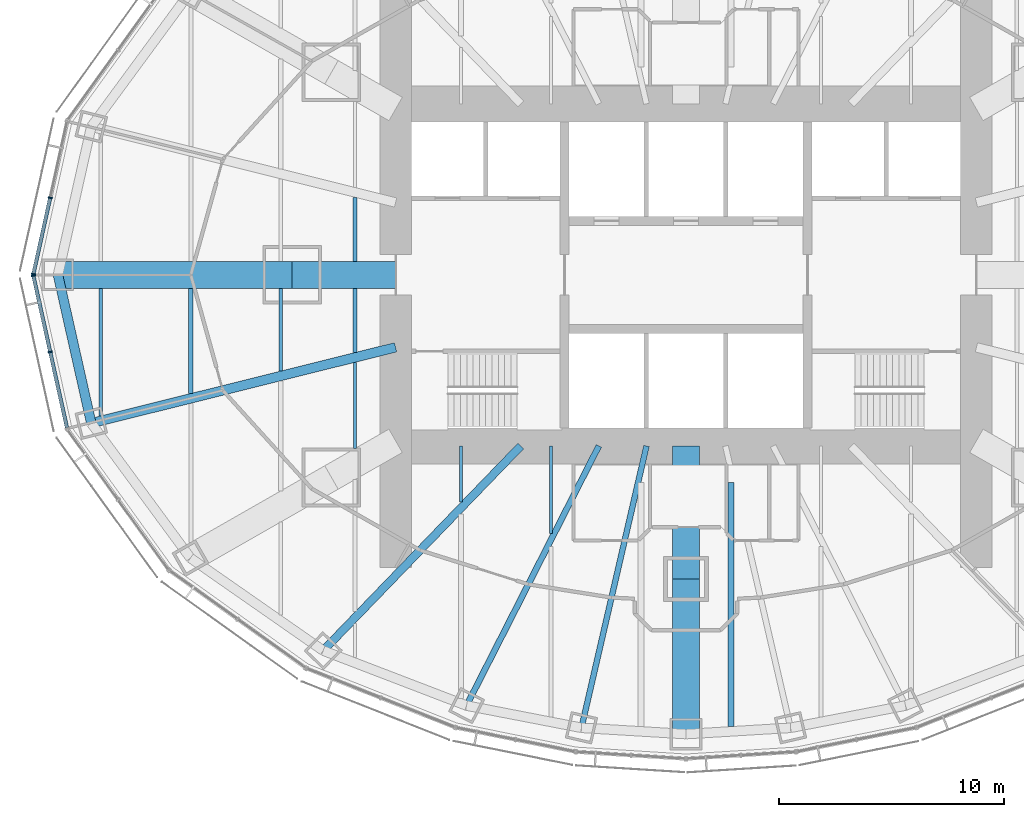
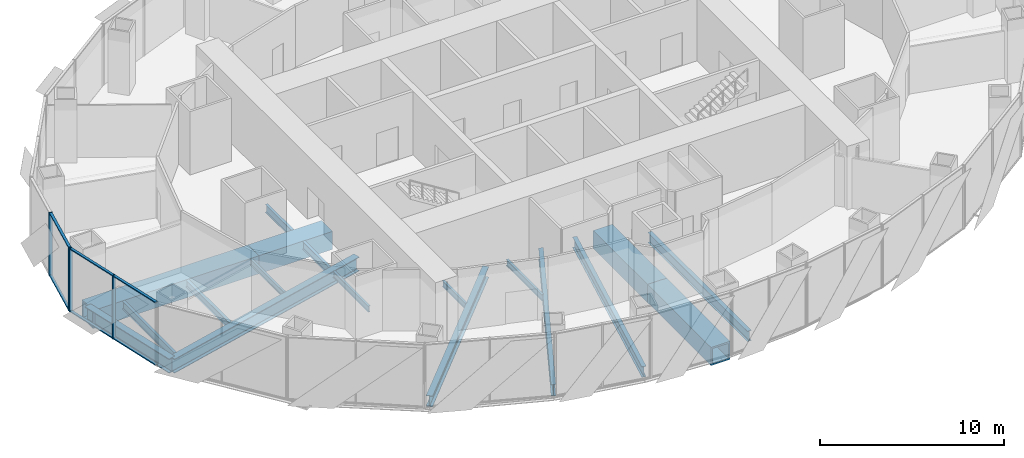
# One storey, part 3 of 17: 18 beams, 10 members, 2 elements without a shape of their own.
"""IFC4 building model written with IfcOpenShell, lengths in metres."""

from ifc_helpers import new_model, si_unit, direction, frame, origin, origin_2d, place, context, subcontext, project, spatial, rectangle, hollow_rectangle, i_section, extrude, material, material_profile, profile_set, type_object, element, aggregate, save


model = new_model("IFC4")

# Units and contexts
model_context = context("Model", 3, precision=1e-05, world=origin(), true_north=direction((0.0, 1.0)))
body_context = subcontext(model_context, "Body", "Model", "MODEL_VIEW")
ifc_project = project(units=[si_unit("LENGTHUNIT", "METRE"), si_unit("AREAUNIT", "SQUARE_METRE"), si_unit("VOLUMEUNIT", "CUBIC_METRE"), si_unit("PLANEANGLEUNIT", "RADIAN"), si_unit("MASSUNIT", "GRAM", prefix="KILO")], contexts=[model_context])

# Site, building, storey
site_placement = place(None, origin())
site = spatial("IfcSite", under=ifc_project, at=site_placement, CompositionType="ELEMENT")
building_placement = place(site_placement, origin())
building = spatial("IfcBuilding", under=site, at=building_placement, Name="Lantaw Convention Tower", CompositionType="ELEMENT")
storey_placement = place(building_placement, frame((0.0, 0.0, 117.39990234375)))
storey = spatial("IfcBuildingStorey", under=building, at=storey_placement, Name="L27", CompositionType="ELEMENT", Elevation=117.39990234375)

# Beams
ifc_material_1 = material(Name="Steel ASTM A992", Category="steel")
ifc_material_profile_1 = material_profile(ifc_material_1, i_section(OverallWidth=0.424072265625, OverallDepth=0.947509765625, WebThickness=0.02392578125, FlangeThickness=0.042724609375, FilletRadius=0.012451171875, at=origin_2d()), Name="W36X302")
ifc_profile_set_1 = profile_set([ifc_material_profile_1], Name="Steel ASTM A992")
beam_type_1 = type_object("IfcBeamType", Name="Beam BC W36X302", PredefinedType="SPANDREL", material=ifc_profile_set_1)
beam_1_placement = place(storey_placement, frame((-27.89990234375, 0.0, -0.62353515625), z_axis=(0.219211877447, -0.975677279015, 0.0), x_axis=(0.975677279015, 0.219211877447, 0.0)))
element("IfcBeam", 1, at=beam_1_placement, inside=storey, type_object=beam_type_1, Name="Belt truss chord 13", PredefinedType="SPANDREL", context=body_context, shape_type="SweptSolid", body=[
    extrude(i_section(OverallWidth=0.424072265625, OverallDepth=0.947509765625, WebThickness=0.02392578125, FlangeThickness=0.042724609375, FilletRadius=0.012451171875, at=origin_2d()), origin(), (0.0, 0.0, 1.0), 6.75146484375),
])
ifc_material_2 = material(Name="Steel EN 10025-3 S460N", Category="steel")
ifc_material_profile_2 = material_profile(ifc_material_2, hollow_rectangle(XDim=1.199951171875, YDim=1.199951171875, WallThickness=0.10009765625, at=origin_2d()), Name="BOX1200X100")
ifc_profile_set_2 = profile_set([ifc_material_profile_2], Name="Steel EN 10025-3 S460N")
beam_type_2 = type_object("IfcBeamType", Name="Beam G BOX1200X100", PredefinedType="BEAM", material=ifc_profile_set_2)
beam_2_placement = place(storey_placement, frame((-17.5, 0.0, -0.75), z_axis=(-1.0, 0.0, 0.0), x_axis=(0.0, -1.0, 0.0)))
element("IfcBeam", 2, at=beam_2_placement, inside=storey, type_object=beam_type_2, Name="Floor girder on ray 13", PredefinedType="BEAM", context=body_context, shape_type="SweptSolid", body=[
    extrude(hollow_rectangle(XDim=1.199951171875, YDim=1.199951171875, WallThickness=0.10009765625, at=origin_2d()), origin(), (0.0, 0.0, 1.0), 10.39990234375),
])
beam_3_placement = place(storey_placement, frame((0.0, -13.5, -0.75), z_axis=(0.0, -1.0, 0.0), x_axis=(1.0, 0.0, 0.0)))
element("IfcBeam", 3, at=beam_3_placement, inside=storey, type_object=beam_type_2, Name="Floor girder on ray 19", PredefinedType="BEAM", context=body_context, shape_type="SweptSolid", body=[
    extrude(hollow_rectangle(XDim=1.199951171875, YDim=1.199951171875, WallThickness=0.10009765625, at=origin_2d()), origin(), (0.0, 0.0, 1.0), 6.89990234375),
])
ifc_material_profile_3 = material_profile(ifc_material_1, i_section(OverallWidth=0.25390625, OverallDepth=0.700927734375, WebThickness=0.015380859375, FlangeThickness=0.02783203125, FilletRadius=0.01513671875, at=origin_2d()), Name="W27X129")
ifc_profile_set_3 = profile_set([ifc_material_profile_3], Name="Steel ASTM A992")
beam_type_3 = type_object("IfcBeamType", Name="Beam G W27X129", PredefinedType="BEAM", material=ifc_profile_set_3)
beam_4_placement = place(storey_placement, frame((-1.754638671875, -7.60009765625, -0.50048828125), z_axis=(-0.224944153104, -0.974371658036, 0.0), x_axis=(0.974371658036, -0.224944153104, 0.0)))
element("IfcBeam", 4, at=beam_4_placement, inside=storey, type_object=beam_type_3, Name="Floor girder on ray 18", PredefinedType="BEAM", context=body_context, shape_type="SweptSolid", body=[
    extrude(i_section(OverallWidth=0.25390625, OverallDepth=0.700927734375, WebThickness=0.015380859375, FlangeThickness=0.02783203125, FilletRadius=0.01513671875, at=origin_2d()), origin(), (0.0, 0.0, 1.0), 12.849365234375),
])
ifc_material_profile_4 = material_profile(ifc_material_1, i_section(OverallWidth=0.360595703125, OverallDepth=0.72900390625, WebThickness=0.023193359375, FlangeThickness=0.041015625, FilletRadius=0.0126953125, at=origin_2d()), Name="W27X235")
ifc_profile_set_4 = profile_set([ifc_material_profile_4], Name="Steel ASTM A992")
beam_type_4 = type_object("IfcBeamType", Name="Beam G W27X235", PredefinedType="BEAM", material=ifc_profile_set_4)
beam_5_placement = place(storey_placement, frame((-7.33935546875, -7.60009765625, -0.514404296875), z_axis=(-0.694663467407, -0.719334878239, 0.0), x_axis=(0.719334878239, -0.694663467407, 0.0)))
element("IfcBeam", 5, at=beam_5_placement, inside=storey, type_object=beam_type_4, Name="Floor girder on ray 16", PredefinedType="BEAM", context=body_context, shape_type="SweptSolid", body=[
    extrude(i_section(OverallWidth=0.360595703125, OverallDepth=0.72900390625, WebThickness=0.023193359375, FlangeThickness=0.041015625, FilletRadius=0.0126953125, at=origin_2d()), origin(), (0.0, 0.0, 1.0), 12.63671875),
])
ifc_material_profile_5 = material_profile(ifc_material_1, i_section(OverallWidth=0.2666015625, OverallDepth=0.76953125, WebThickness=0.015625, FlangeThickness=0.025390625, FilletRadius=0.0126953125, at=origin_2d()), Name="W30X132")
ifc_profile_set_5 = profile_set([ifc_material_profile_5], Name="Steel ASTM A992")
beam_type_5 = type_object("IfcBeamType", Name="Beam G W30X132", PredefinedType="BEAM", material=ifc_profile_set_5)
beam_6_placement = place(storey_placement, frame((-3.872314453125, -7.60009765625, -0.53466796875), z_axis=(-0.453991051051, -0.891006243281, 0.0), x_axis=(0.891006243281, -0.453991051051, 0.0)))
element("IfcBeam", 6, at=beam_6_placement, inside=storey, type_object=beam_type_5, Name="Floor girder on ray 17", PredefinedType="BEAM", context=body_context, shape_type="SweptSolid", body=[
    extrude(i_section(OverallWidth=0.2666015625, OverallDepth=0.76953125, WebThickness=0.015625, FlangeThickness=0.025390625, FilletRadius=0.0126953125, at=origin_2d()), origin(), (0.0, 0.0, 1.0), 12.943359375),
])
ifc_material_profile_6 = material_profile(ifc_material_1, i_section(OverallWidth=0.421630859375, OverallDepth=0.937255859375, WebThickness=0.0224609375, FlangeThickness=0.039794921875, FilletRadius=0.02001953125, at=origin_2d()), Name="W36X282")
ifc_profile_set_6 = profile_set([ifc_material_profile_6], Name="Steel ASTM A992")
beam_type_6 = type_object("IfcBeamType", Name="Beam G W36X282", PredefinedType="BEAM", material=ifc_profile_set_6)
beam_7_placement = place(storey_placement, frame((-12.89990234375, -3.21630859375, -0.61865234375), z_axis=(-0.970296903132, -0.24191717544, 0.0), x_axis=(0.24191717544, -0.970296903132, 0.0)))
element("IfcBeam", 7, at=beam_7_placement, inside=storey, type_object=beam_type_6, Name="Floor girder on ray 14", PredefinedType="BEAM", context=body_context, shape_type="SweptSolid", body=[
    extrude(i_section(OverallWidth=0.421630859375, OverallDepth=0.937255859375, WebThickness=0.0224609375, FlangeThickness=0.039794921875, FilletRadius=0.02001953125, at=origin_2d()), origin(), (0.0, 0.0, 1.0), 13.933837890625),
])
ifc_material_profile_7 = material_profile(ifc_material_1, i_section(OverallWidth=0.140380859375, OverallDepth=0.40380859375, WebThickness=0.007080078125, FlangeThickness=0.01123046875, FilletRadius=0.01025390625, at=origin_2d()), Name="W16X31")
ifc_profile_set_7 = profile_set([ifc_material_profile_7], Name="Steel ASTM A992")
beam_type_7 = type_object("IfcBeamType", Name="Beam J W16X31", PredefinedType="JOIST", material=ifc_profile_set_7)
beam_8_placement = place(storey_placement, frame((-18.0, -4.270751953125, -0.351806640625), z_axis=(0.0, 1.0, 0.0), x_axis=(-1.0, 0.0, 0.0)))
element("IfcBeam", 8, at=beam_8_placement, inside=storey, type_object=beam_type_7, Name="Floor joist", PredefinedType="JOIST", context=body_context, shape_type="SweptSolid", body=[
    extrude(i_section(OverallWidth=0.140380859375, OverallDepth=0.40380859375, WebThickness=0.007080078125, FlangeThickness=0.01123046875, FilletRadius=0.01025390625, at=origin_2d()), origin(), (0.0, 0.0, 1.0), 3.670654296875),
])
beam_9_placement = place(storey_placement, frame((-14.699951171875, -7.708984375, -0.351806640625), z_axis=(0.0, 1.0, 0.0), x_axis=(-1.0, 0.0, 0.0)))
element("IfcBeam", 9, at=beam_9_placement, inside=storey, type_object=beam_type_7, Name="Floor joist", PredefinedType="JOIST", context=body_context, shape_type="SweptSolid", body=[
    extrude(i_section(OverallWidth=0.140380859375, OverallDepth=0.40380859375, WebThickness=0.007080078125, FlangeThickness=0.01123046875, FilletRadius=0.01025390625, at=origin_2d()), origin(), (0.0, 0.0, 1.0), 3.82666015625),
])
beam_10_placement = place(storey_placement, frame((-10.0, -10.095703125, -0.351806640625), z_axis=(0.0, 1.0, 0.0), x_axis=(-1.0, 0.0, 0.0)))
element("IfcBeam", 10, at=beam_10_placement, inside=storey, type_object=beam_type_7, Name="Floor joist", PredefinedType="JOIST", context=body_context, shape_type="SweptSolid", body=[
    extrude(i_section(OverallWidth=0.140380859375, OverallDepth=0.40380859375, WebThickness=0.007080078125, FlangeThickness=0.01123046875, FilletRadius=0.01025390625, at=origin_2d()), origin(), (0.0, 0.0, 1.0), 2.49560546875),
])
beam_11_placement = place(storey_placement, frame((-6.0, -11.48193359375, -0.351806640625), z_axis=(0.0, 1.0, 0.0), x_axis=(-1.0, 0.0, 0.0)))
element("IfcBeam", 11, at=beam_11_placement, inside=storey, type_object=beam_type_7, Name="Floor joist", PredefinedType="JOIST", context=body_context, shape_type="SweptSolid", body=[
    extrude(i_section(OverallWidth=0.140380859375, OverallDepth=0.40380859375, WebThickness=0.007080078125, FlangeThickness=0.01123046875, FilletRadius=0.01025390625, at=origin_2d()), origin(), (0.0, 0.0, 1.0), 3.8818359375),
])
ifc_material_profile_8 = material_profile(ifc_material_1, i_section(OverallWidth=0.1904296875, OverallDepth=0.457275390625, WebThickness=0.009033203125, FlangeThickness=0.014404296875, FilletRadius=0.01025390625, at=origin_2d()), Name="W18X50")
ifc_profile_set_8 = profile_set([ifc_material_profile_8], Name="Steel ASTM A992")
beam_type_8 = type_object("IfcBeamType", Name="Beam J W18X50", PredefinedType="JOIST", material=ifc_profile_set_8)
beam_12_placement = place(storey_placement, frame((-22.0, -5.267822265625, -0.37841796875), z_axis=(0.0, 1.0, 0.0), x_axis=(-1.0, 0.0, 0.0)))
element("IfcBeam", 12, at=beam_12_placement, inside=storey, type_object=beam_type_8, Name="Floor joist", PredefinedType="JOIST", context=body_context, shape_type="SweptSolid", body=[
    extrude(i_section(OverallWidth=0.1904296875, OverallDepth=0.457275390625, WebThickness=0.009033203125, FlangeThickness=0.014404296875, FilletRadius=0.01025390625, at=origin_2d()), origin(), (0.0, 0.0, 1.0), 4.667724609375),
])
ifc_material_profile_9 = material_profile(ifc_material_1, i_section(OverallWidth=0.1650390625, OverallDepth=0.52587890625, WebThickness=0.0087890625, FlangeThickness=0.011474609375, FilletRadius=0.0126953125, at=origin_2d()), Name="W21X44")
ifc_profile_set_9 = profile_set([ifc_material_profile_9], Name="Steel ASTM A992")
beam_type_9 = type_object("IfcBeamType", Name="Beam J W21X44", PredefinedType="JOIST", material=ifc_profile_set_9)
beam_13_placement = place(storey_placement, frame((-26.0, -6.26513671875, -0.412841796875), z_axis=(0.0, 1.0, 0.0), x_axis=(-1.0, 0.0, 0.0)))
element("IfcBeam", 13, at=beam_13_placement, inside=storey, type_object=beam_type_9, Name="Floor joist", PredefinedType="JOIST", context=body_context, shape_type="SweptSolid", body=[
    extrude(i_section(OverallWidth=0.1650390625, OverallDepth=0.52587890625, WebThickness=0.0087890625, FlangeThickness=0.011474609375, FilletRadius=0.0126953125, at=origin_2d()), origin(), (0.0, 0.0, 1.0), 5.6650390625),
])
ifc_material_profile_10 = material_profile(ifc_material_1, i_section(OverallWidth=0.165771484375, OverallDepth=0.5283203125, WebThickness=0.009765625, FlangeThickness=0.013671875, FilletRadius=0.012939453125, at=origin_2d()), Name="W21X50")
ifc_profile_set_10 = profile_set([ifc_material_profile_10], Name="Steel ASTM A992")
beam_type_10 = type_object("IfcBeamType", Name="Beam J W21X50", PredefinedType="JOIST", material=ifc_profile_set_10)
for number, where, z_axis, x_axis, name in (
    (14, (-14.699951171875, -3.44775390625, -0.4140625), (0.0, 1.0, 0.0), (-1.0, 0.0, 0.0), "Floor joist"),
    (15, (-14.699951171875, 0.60009765625, -0.4140625), (0.0, 1.0, 0.0), (-1.0, 0.0, 0.0), "Floor joist"),
):
    element("IfcBeam", number, at=place(storey_placement, frame(where, z_axis=z_axis, x_axis=x_axis)), inside=storey, type_object=beam_type_10, Name=name, PredefinedType="JOIST", context=body_context, shape_type="SweptSolid", body=[
        extrude(i_section(OverallWidth=0.165771484375, OverallDepth=0.5283203125, WebThickness=0.009765625, FlangeThickness=0.013671875, FilletRadius=0.012939453125, at=origin_2d()), origin(), (0.0, 0.0, 1.0), 2.84765625),
    ])
ifc_material_profile_11 = material_profile(ifc_material_1, i_section(OverallWidth=0.25390625, OverallDepth=0.683349609375, WebThickness=0.012451171875, FlangeThickness=0.01904296875, FilletRadius=0.01513671875, at=origin_2d()), Name="W27X94")
ifc_profile_set_11 = profile_set([ifc_material_profile_11], Name="Steel ASTM A992")
beam_type_11 = type_object("IfcBeamType", Name="Beam J W27X94", PredefinedType="JOIST", material=ifc_profile_set_11)
beam_14_placement = place(storey_placement, frame((2.0, -20.06689453125, -0.491455078125), z_axis=(0.0, 1.0, 0.0), x_axis=(-1.0, 0.0, 0.0)))
element("IfcBeam", 16, at=beam_14_placement, inside=storey, type_object=beam_type_11, Name="Floor joist", PredefinedType="JOIST", context=body_context, shape_type="SweptSolid", body=[
    extrude(i_section(OverallWidth=0.25390625, OverallDepth=0.683349609375, WebThickness=0.012451171875, FlangeThickness=0.01904296875, FilletRadius=0.01513671875, at=origin_2d()), origin(), (0.0, 0.0, 1.0), 10.83935546875),
])
ifc_material_profile_12 = material_profile(ifc_material_2, hollow_rectangle(XDim=1.199951171875, YDim=1.199951171875, WallThickness=0.10009765625, at=origin_2d()), Name="BOX1200X100")
ifc_profile_set_12 = profile_set([ifc_material_profile_12], Name="Steel EN 10025-3 S460N")
beam_type_12 = type_object("IfcBeamType", Name="Beam OC BOX1200X100", PredefinedType="BEAM", material=ifc_profile_set_12)
beam_15_placement = place(storey_placement, frame((-12.89990234375, 0.0, -0.75), z_axis=(-1.0, 0.0, 0.0), x_axis=(0.0, -1.0, 0.0)))
element("IfcBeam", 17, at=beam_15_placement, inside=storey, type_object=beam_type_12, Name="Outrigger chord on ray 13", PredefinedType="BEAM", context=body_context, shape_type="SweptSolid", body=[
    extrude(hollow_rectangle(XDim=1.199951171875, YDim=1.199951171875, WallThickness=0.10009765625, at=origin_2d()), origin(), (0.0, 0.0, 1.0), 4.60009765625),
])
beam_16_placement = place(storey_placement, frame((0.0, -7.60009765625, -0.75), z_axis=(0.0, -1.0, 0.0), x_axis=(1.0, 0.0, 0.0)))
element("IfcBeam", 18, at=beam_16_placement, inside=storey, type_object=beam_type_12, Name="Outrigger chord on ray 19", PredefinedType="BEAM", context=body_context, shape_type="SweptSolid", body=[
    extrude(hollow_rectangle(XDim=1.199951171875, YDim=1.199951171875, WallThickness=0.10009765625, at=origin_2d()), origin(), (0.0, 0.0, 1.0), 5.89990234375),
])

# Curtain wall, members
ifc_material_3 = material(Name="Aluminium framed curtain wall", Category="aluminium")
curtain_wall_type = type_object("IfcCurtainWallType", Name="Office curtain wall low rise, pale aluminium", PredefinedType="USERDEFINED", material=ifc_material_3)
curtain_wall_1_placement = place(storey_placement, origin())
curtain_wall_1 = element("IfcCurtainWall", 19, at=curtain_wall_1_placement, inside=storey, type_object=curtain_wall_type, Name="Office curtain wall low rise, pale aluminium L27", ObjectType="UNITISED CURTAIN WALL", PredefinedType="USERDEFINED")
ifc_material_4 = material(Name="Aluminium 6063-T6", Category="aluminium")
ifc_material_profile_13 = material_profile(ifc_material_4, rectangle(XDim=0.199951171875, YDim=0.06494140625, at=origin_2d()), Name="CW-O1 mullion 65x200")
ifc_profile_set_13 = profile_set([ifc_material_profile_13], Name="Aluminium 6063-T6")
member_type_1 = type_object("IfcMemberType", Name="CW-O1 mullion 65x200", PredefinedType="MULLION", material=ifc_profile_set_13)
member_1_placement = place(storey_placement, frame((-28.24365234375, 3.4267578125, -0.14990234375), z_axis=(0.0, 0.0, 1.0), x_axis=(0.9764936509, -0.215546166174, 0.0)))
member_1 = element("IfcMember", 20, at=member_1_placement, type_object=member_type_1, Name="CW-O1 mullion 2", PredefinedType="MULLION", context=body_context, shape_type="SweptSolid", body=[
    extrude(rectangle(XDim=0.199951171875, YDim=0.06494140625, at=origin_2d()), origin(), (0.0, 0.0, 1.0), 4.199951171875),
])
member_2_placement = place(storey_placement, frame((-28.992919921875, 0.03173828125, -0.14990234375), z_axis=(0.0, 0.0, 1.0), x_axis=(0.9764936509, -0.215546166174, 0.0)))
member_2 = element("IfcMember", 21, at=member_2_placement, type_object=member_type_1, Name="CW-O1 mullion 3", PredefinedType="MULLION", context=body_context, shape_type="SweptSolid", body=[
    extrude(rectangle(XDim=0.199951171875, YDim=0.06494140625, at=origin_2d()), origin(), (0.0, 0.0, 1.0), 4.199951171875),
])

curtain_wall_2_placement = place(storey_placement, origin())
curtain_wall_2 = element("IfcCurtainWall", 22, at=curtain_wall_2_placement, inside=storey, type_object=curtain_wall_type, Name="Office curtain wall low rise, pale aluminium L27", ObjectType="UNITISED CURTAIN WALL", PredefinedType="USERDEFINED")
member_3_placement = place(storey_placement, frame((-28.992919921875, -0.03173828125, -0.14990234375), z_axis=(0.0, 0.0, 1.0), x_axis=(0.9764936509, 0.215546166174, 0.0)))
member_3 = element("IfcMember", 23, at=member_3_placement, type_object=member_type_1, Name="CW-O1 mullion 1", PredefinedType="MULLION", context=body_context, shape_type="SweptSolid", body=[
    extrude(rectangle(XDim=0.199951171875, YDim=0.06494140625, at=origin_2d()), origin(), (0.0, 0.0, 1.0), 4.199951171875),
])
member_4_placement = place(storey_placement, frame((-28.24365234375, -3.4267578125, -0.14990234375), z_axis=(0.0, 0.0, 1.0), x_axis=(0.9764936509, 0.215546166174, 0.0)))
member_4 = element("IfcMember", 24, at=member_4_placement, type_object=member_type_1, Name="CW-O1 mullion 2", PredefinedType="MULLION", context=body_context, shape_type="SweptSolid", body=[
    extrude(rectangle(XDim=0.199951171875, YDim=0.06494140625, at=origin_2d()), origin(), (0.0, 0.0, 1.0), 4.199951171875),
])

# Member
ifc_material_profile_14 = material_profile(ifc_material_4, rectangle(XDim=0.159912109375, YDim=0.06494140625, at=origin_2d()), Name="CW-O1 transom 65x160")
ifc_profile_set_14 = profile_set([ifc_material_profile_14], Name="Aluminium 6063-T6")
member_type_2 = type_object("IfcMemberType", Name="CW-O1 transom 65x160", PredefinedType="USERDEFINED", material=ifc_profile_set_14)
member_5_placement = place(storey_placement, frame((-28.250732421875, 3.39501953125, -0.117431640625), z_axis=(-0.215536096386, -0.976495873598, 0.0), x_axis=(0.976495873598, -0.215536096386, 0.0)))
member_5 = element("IfcMember", 25, at=member_5_placement, type_object=member_type_2, Name="CW-O1 transom 2.1", ObjectType="TRANSOM", PredefinedType="USERDEFINED", context=body_context, shape_type="SweptSolid", body=[
    extrude(rectangle(XDim=0.159912109375, YDim=0.06494140625, at=origin_2d()), origin(), (0.0, 0.0, 1.0), 3.41162109375),
])

member_6_placement = place(storey_placement, frame((-28.250732421875, 3.39501953125, 4.017578125), z_axis=(-0.215536096386, -0.976495873598, 0.0), x_axis=(0.976495873598, -0.215536096386, 0.0)))
member_6 = element("IfcMember", 26, at=member_6_placement, type_object=member_type_2, Name="CW-O1 transom 2.2", ObjectType="TRANSOM", PredefinedType="USERDEFINED", context=body_context, shape_type="SweptSolid", body=[
    extrude(rectangle(XDim=0.159912109375, YDim=0.06494140625, at=origin_2d()), origin(), (0.0, 0.0, 1.0), 3.41162109375),
])

aggregate(curtain_wall_1, [member_1, member_2, member_5, member_6])

member_7_placement = place(storey_placement, frame((-28.986083984375, -0.0634765625, -0.117431640625), z_axis=(0.215536096386, -0.976495873598, 0.0), x_axis=(0.976495873598, 0.215536096386, 0.0)))
member_7 = element("IfcMember", 27, at=member_7_placement, type_object=member_type_2, Name="CW-O1 transom 1.1", ObjectType="TRANSOM", PredefinedType="USERDEFINED", context=body_context, shape_type="SweptSolid", body=[
    extrude(rectangle(XDim=0.159912109375, YDim=0.06494140625, at=origin_2d()), origin(), (0.0, 0.0, 1.0), 3.41162109375),
])

member_8_placement = place(storey_placement, frame((-28.986083984375, -0.0634765625, 4.017578125), z_axis=(0.215536096386, -0.976495873598, 0.0), x_axis=(0.976495873598, 0.215536096386, 0.0)))
member_8 = element("IfcMember", 28, at=member_8_placement, type_object=member_type_2, Name="CW-O1 transom 1.2", ObjectType="TRANSOM", PredefinedType="USERDEFINED", context=body_context, shape_type="SweptSolid", body=[
    extrude(rectangle(XDim=0.159912109375, YDim=0.06494140625, at=origin_2d()), origin(), (0.0, 0.0, 1.0), 3.41162109375),
])

member_9_placement = place(storey_placement, frame((-28.236572265625, -3.45849609375, -0.117431640625), z_axis=(0.21555115847, -0.976492548913, 0.0), x_axis=(0.976492548913, 0.21555115847, 0.0)))
member_9 = element("IfcMember", 29, at=member_9_placement, type_object=member_type_2, Name="CW-O1 transom 2.1", ObjectType="TRANSOM", PredefinedType="USERDEFINED", context=body_context, shape_type="SweptSolid", body=[
    extrude(rectangle(XDim=0.159912109375, YDim=0.06494140625, at=origin_2d()), origin(), (0.0, 0.0, 1.0), 3.411376953125),
])

member_10_placement = place(storey_placement, frame((-28.236572265625, -3.45849609375, 4.017578125), z_axis=(0.21555115847, -0.976492548913, 0.0), x_axis=(0.976492548913, 0.21555115847, 0.0)))
member_10 = element("IfcMember", 30, at=member_10_placement, type_object=member_type_2, Name="CW-O1 transom 2.2", ObjectType="TRANSOM", PredefinedType="USERDEFINED", context=body_context, shape_type="SweptSolid", body=[
    extrude(rectangle(XDim=0.159912109375, YDim=0.06494140625, at=origin_2d()), origin(), (0.0, 0.0, 1.0), 3.411376953125),
])

aggregate(curtain_wall_2, [member_3, member_4, member_7, member_8, member_9, member_10])

save(model, "model.ifc")
